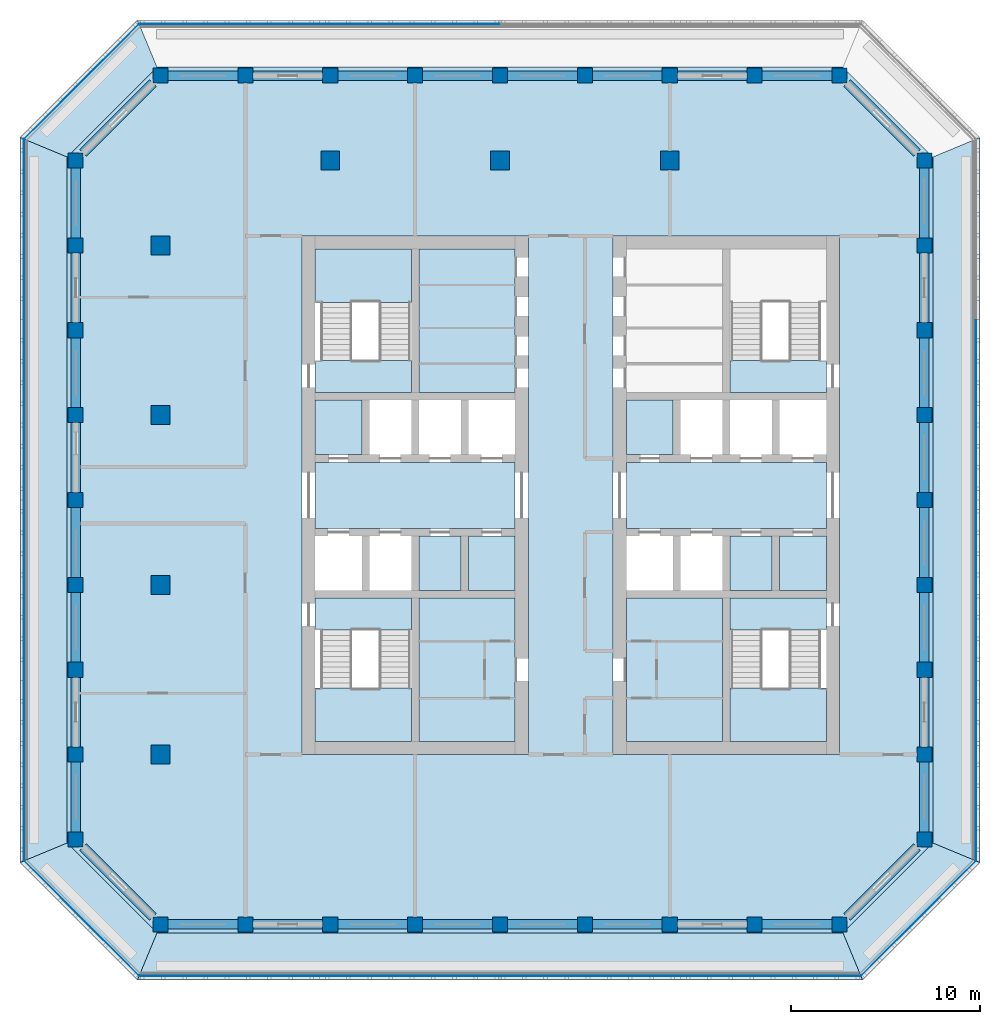
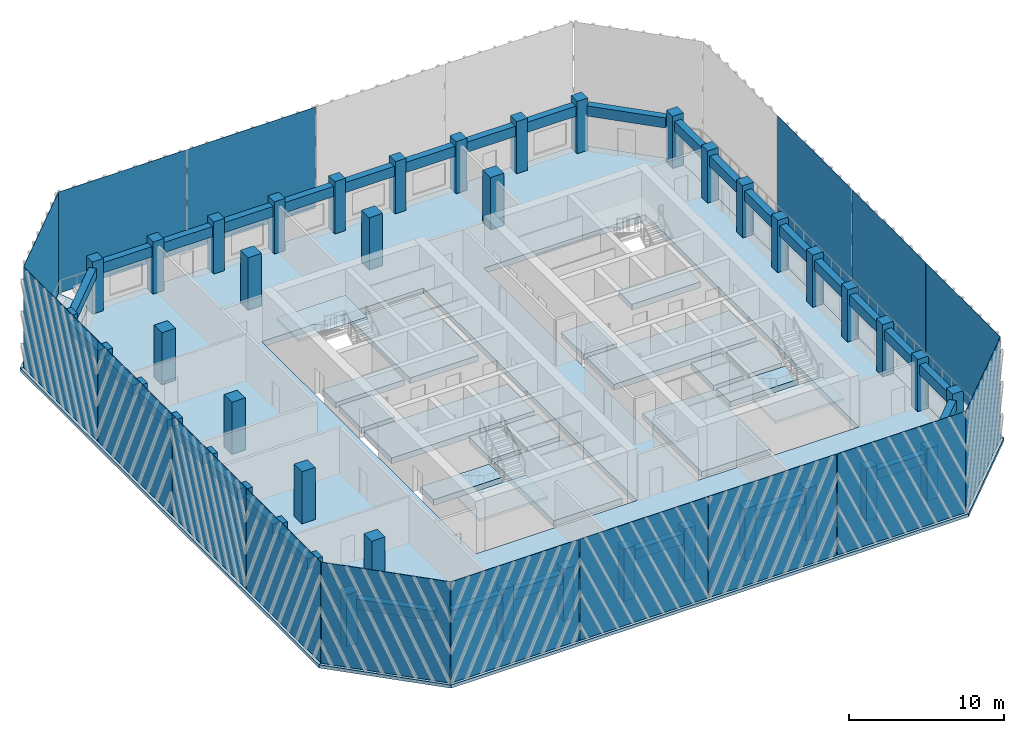
# One storey, part 1 of 15: 43 columns, 36 beams, 25 slabs, 16 plates, 3 elements without a shape of their own.
"""IFC4 building model written with IfcOpenShell, lengths in metres."""

from ifc_helpers import new_model, si_unit, direction, frame, origin, origin_2d, place, context, subcontext, project, spatial, polyline, rectangle, outline, extrude, material, layer, layer_set, material_profile, profile_set, type_object, element, aggregate, save


model = new_model("IFC4")

# Units and contexts
model_context = context("Model", 3, precision=1e-05, world=origin(), true_north=direction((0.0, 1.0)))
body_context = subcontext(model_context, "Body", "Model", "MODEL_VIEW")
ifc_project = project(units=[si_unit("LENGTHUNIT", "METRE"), si_unit("AREAUNIT", "SQUARE_METRE"), si_unit("VOLUMEUNIT", "CUBIC_METRE"), si_unit("PLANEANGLEUNIT", "RADIAN"), si_unit("MASSUNIT", "GRAM", prefix="KILO")], contexts=[model_context])

# Site, building, storey
site_placement = place(None, origin())
site = spatial("IfcSite", under=ifc_project, at=site_placement, CompositionType="ELEMENT")
building_placement = place(site_placement, origin())
building = spatial("IfcBuilding", under=site, at=building_placement, Name="Corbel Stack Research Tower", CompositionType="ELEMENT")
storey_placement = place(building_placement, frame((0.0, 0.0, 274.5)))
storey = spatial("IfcBuildingStorey", under=building, at=storey_placement, Name="L62", CompositionType="ELEMENT", Elevation=274.5)

# Columns
ifc_material_1 = material(Name="Concrete C60/75", Category="concrete")
ifc_material_profile_1 = material_profile(ifc_material_1, rectangle(XDim=1.0, YDim=1.0, at=origin_2d()), Name="RC 1000 x 1000")
ifc_profile_set_1 = profile_set([ifc_material_profile_1], Name="Concrete C60/75")
column_type_1 = type_object("IfcColumnType", Name="C-1000-60", PredefinedType="COLUMN", material=ifc_profile_set_1)
for number, where, z_axis, x_axis, name in (
    (1, (-18.0, -9.0, 0.0), (0.0, 0.0, 1.0), (1.0, 0.0, 0.0), "Column 4/F L62"),
    (2, (-18.0, 0.0, 0.0), (0.0, 0.0, 1.0), (1.0, 0.0, 0.0), "Column 4/H L62"),
    (3, (-18.0, 9.0, 0.0), (0.0, 0.0, 1.0), (1.0, 0.0, 0.0), "Column 4/K L62"),
    (4, (-18.0, 18.0, 0.0), (0.0, 0.0, 1.0), (1.0, 0.0, 0.0), "Column 4/M L62"),
    (5, (-9.0, 22.5, 0.0), (0.0, 0.0, 1.0), (1.0, 0.0, 0.0), "Column 6/N L62"),
    (6, (0.0, 22.5, 0.0), (0.0, 0.0, 1.0), (1.0, 0.0, 0.0), "Column 8/N L62"),
    (7, (9.0, 22.5, 0.0), (0.0, 0.0, 1.0), (1.0, 0.0, 0.0), "Column 10/N L62"),
):
    element("IfcColumn", number, at=place(storey_placement, frame(where, z_axis=z_axis, x_axis=x_axis)), inside=storey, type_object=column_type_1, Name=name, PredefinedType="COLUMN", context=body_context, shape_type="SweptSolid", body=[
        extrude(rectangle(XDim=1.0, YDim=1.0, at=origin_2d()), origin(), (0.0, 0.0, 1.0), 4.10009765625),
    ])
ifc_material_2 = material(Name="Concrete C60/75", Category="concrete")
ifc_material_profile_2 = material_profile(ifc_material_2, rectangle(XDim=0.800048828125, YDim=0.800048828125, at=origin_2d()), Name="RC 800 x 800")
ifc_profile_set_2 = profile_set([ifc_material_profile_2], Name="Concrete C60/75")
column_type_2 = type_object("IfcColumnType", Name="C-800-60", PredefinedType="COLUMN", material=ifc_profile_set_2)
for number, where, z_axis, x_axis, name in (
    (8, (-22.5, -13.5, 0.0), (0.0, 0.0, 1.0), (1.0, 0.0, 0.0), "Column 3/E L62"),
    (9, (-22.5, -9.0, 0.0), (0.0, 0.0, 1.0), (1.0, 0.0, 0.0), "Column 3/F L62"),
    (10, (-22.5, -4.5, 0.0), (0.0, 0.0, 1.0), (1.0, 0.0, 0.0), "Column 3/G L62"),
    (11, (-22.5, 0.0, 0.0), (0.0, 0.0, 1.0), (1.0, 0.0, 0.0), "Column 3/H L62"),
    (12, (-22.5, 4.5, 0.0), (0.0, 0.0, 1.0), (1.0, 0.0, 0.0), "Column 3/J L62"),
    (13, (-22.5, 9.0, 0.0), (0.0, 0.0, 1.0), (1.0, 0.0, 0.0), "Column 3/K L62"),
    (14, (-22.5, 13.5, 0.0), (0.0, 0.0, 1.0), (1.0, 0.0, 0.0), "Column 3/L L62"),
    (15, (-22.5, 18.0, 0.0), (0.0, 0.0, 1.0), (1.0, 0.0, 0.0), "Column 3/M L62"),
    (16, (-22.5, 22.5, 0.0), (0.0, 0.0, 1.0), (1.0, 0.0, 0.0), "Column 3/N L62"),
    (17, (-18.0, -18.0, 0.0), (0.0, 0.0, 1.0), (1.0, 0.0, 0.0), "Column 4/D L62"),
    (18, (-18.0, 27.0, 0.0), (0.0, 0.0, 1.0), (1.0, 0.0, 0.0), "Column 4/P L62"),
    (19, (-13.5, -18.0, 0.0), (0.0, 0.0, 1.0), (1.0, 0.0, 0.0), "Column 5/D L62"),
    (20, (-13.5, 27.0, 0.0), (0.0, 0.0, 1.0), (1.0, 0.0, 0.0), "Column 5/P L62"),
    (21, (-9.0, -18.0, 0.0), (0.0, 0.0, 1.0), (1.0, 0.0, 0.0), "Column 6/D L62"),
    (22, (-9.0, 27.0, 0.0), (0.0, 0.0, 1.0), (1.0, 0.0, 0.0), "Column 6/P L62"),
    (23, (-4.5, -18.0, 0.0), (0.0, 0.0, 1.0), (1.0, 0.0, 0.0), "Column 7/D L62"),
    (24, (-4.5, 27.0, 0.0), (0.0, 0.0, 1.0), (1.0, 0.0, 0.0), "Column 7/P L62"),
    (25, (0.0, -18.0, 0.0), (0.0, 0.0, 1.0), (1.0, 0.0, 0.0), "Column 8/D L62"),
    (26, (0.0, 27.0, 0.0), (0.0, 0.0, 1.0), (1.0, 0.0, 0.0), "Column 8/P L62"),
    (27, (4.5, -18.0, 0.0), (0.0, 0.0, 1.0), (1.0, 0.0, 0.0), "Column 9/D L62"),
    (28, (4.5, 27.0, 0.0), (0.0, 0.0, 1.0), (1.0, 0.0, 0.0), "Column 9/P L62"),
    (29, (9.0, -18.0, 0.0), (0.0, 0.0, 1.0), (1.0, 0.0, 0.0), "Column 10/D L62"),
    (30, (9.0, 27.0, 0.0), (0.0, 0.0, 1.0), (1.0, 0.0, 0.0), "Column 10/P L62"),
    (31, (13.5, -18.0, 0.0), (0.0, 0.0, 1.0), (1.0, 0.0, 0.0), "Column 11/D L62"),
    (32, (13.5, 27.0, 0.0), (0.0, 0.0, 1.0), (1.0, 0.0, 0.0), "Column 11/P L62"),
    (33, (18.0, -18.0, 0.0), (0.0, 0.0, 1.0), (1.0, 0.0, 0.0), "Column 12/D L62"),
    (34, (18.0, 27.0, 0.0), (0.0, 0.0, 1.0), (1.0, 0.0, 0.0), "Column 12/P L62"),
    (35, (22.5, -13.5, 0.0), (0.0, 0.0, 1.0), (1.0, 0.0, 0.0), "Column 13/E L62"),
    (36, (22.5, -9.0, 0.0), (0.0, 0.0, 1.0), (1.0, 0.0, 0.0), "Column 13/F L62"),
    (37, (22.5, -4.5, 0.0), (0.0, 0.0, 1.0), (1.0, 0.0, 0.0), "Column 13/G L62"),
    (38, (22.5, 0.0, 0.0), (0.0, 0.0, 1.0), (1.0, 0.0, 0.0), "Column 13/H L62"),
    (39, (22.5, 4.5, 0.0), (0.0, 0.0, 1.0), (1.0, 0.0, 0.0), "Column 13/J L62"),
    (40, (22.5, 9.0, 0.0), (0.0, 0.0, 1.0), (1.0, 0.0, 0.0), "Column 13/K L62"),
    (41, (22.5, 13.5, 0.0), (0.0, 0.0, 1.0), (1.0, 0.0, 0.0), "Column 13/L L62"),
    (42, (22.5, 18.0, 0.0), (0.0, 0.0, 1.0), (1.0, 0.0, 0.0), "Column 13/M L62"),
    (43, (22.5, 22.5, 0.0), (0.0, 0.0, 1.0), (1.0, 0.0, 0.0), "Column 13/N L62"),
):
    element("IfcColumn", number, at=place(storey_placement, frame(where, z_axis=z_axis, x_axis=x_axis)), inside=storey, type_object=column_type_2, Name=name, PredefinedType="COLUMN", context=body_context, shape_type="SweptSolid", body=[
        extrude(rectangle(XDim=0.800048828125, YDim=0.800048828125, at=origin_2d()), origin(), (0.0, 0.0, 1.0), 4.10009765625),
    ])

# Beams
ifc_material_3 = material(Name="Concrete C60/75", Category="concrete")
ifc_material_profile_3 = material_profile(ifc_material_3, rectangle(XDim=0.5, YDim=0.800048828125, at=origin_2d()), Name="RC 500 x 800")
ifc_profile_set_3 = profile_set([ifc_material_profile_3], Name="Concrete C60/75")
beam_type = type_object("IfcBeamType", Name="SB-500-800-450", PredefinedType="SPANDREL", material=ifc_profile_set_3)
for number, where, z_axis, x_axis, name in (
    (44, (-17.60009765625, -18.0, 3.25), (1.0, 0.0, 0.0), (0.0, 1.0, 0.0), "Spandrel beam L62-01"),
    (45, (-13.10009765625, -18.0, 3.25), (1.0, 0.0, 0.0), (0.0, 1.0, 0.0), "Spandrel beam L62-02"),
    (46, (-8.60009765625, -18.0, 3.25), (1.0, 0.0, 0.0), (0.0, 1.0, 0.0), "Spandrel beam L62-03"),
    (47, (-4.10009765625, -18.0, 3.25), (1.0, 0.0, 0.0), (0.0, 1.0, 0.0), "Spandrel beam L62-04"),
    (48, (0.39990234375, -18.0, 3.25), (1.0, 0.0, 0.0), (0.0, 1.0, 0.0), "Spandrel beam L62-05"),
    (49, (4.89990234375, -18.0, 3.25), (1.0, 0.0, 0.0), (0.0, 1.0, 0.0), "Spandrel beam L62-06"),
    (50, (9.39990234375, -18.0, 3.25), (1.0, 0.0, 0.0), (0.0, 1.0, 0.0), "Spandrel beam L62-07"),
    (51, (13.89990234375, -18.0, 3.25), (1.0, 0.0, 0.0), (0.0, 1.0, 0.0), "Spandrel beam L62-08"),
):
    element("IfcBeam", number, at=place(storey_placement, frame(where, z_axis=z_axis, x_axis=x_axis)), inside=storey, type_object=beam_type, Name=name, PredefinedType="SPANDREL", context=body_context, shape_type="SweptSolid", body=[
        extrude(rectangle(XDim=0.5, YDim=0.800048828125, at=origin_2d()), origin(), (0.0, 0.0, 1.0), 3.7001953125),
    ])
beam_1_placement = place(storey_placement, frame((18.39990234375, -17.60009765625, 3.25), z_axis=(0.707106781187, 0.707106781187, 0.0), x_axis=(-0.707106781187, 0.707106781187, 0.0)))
element("IfcBeam", 52, at=beam_1_placement, inside=storey, type_object=beam_type, Name="Spandrel beam L62-09", PredefinedType="SPANDREL", context=body_context, shape_type="SweptSolid", body=[
    extrude(rectangle(XDim=0.5, YDim=0.800048828125, at=origin_2d()), origin(), (0.0, 0.0, 1.0), 5.23291015625),
])
for number, where, z_axis, x_axis, name in (
    (53, (22.5, -13.10009765625, 3.25), (0.0, 1.0, 0.0), (-1.0, 0.0, 0.0), "Spandrel beam L62-10"),
    (54, (22.5, -8.60009765625, 3.25), (0.0, 1.0, 0.0), (-1.0, 0.0, 0.0), "Spandrel beam L62-11"),
    (55, (22.5, -4.10009765625, 3.25), (0.0, 1.0, 0.0), (-1.0, 0.0, 0.0), "Spandrel beam L62-12"),
    (56, (22.5, 0.39990234375, 3.25), (0.0, 1.0, 0.0), (-1.0, 0.0, 0.0), "Spandrel beam L62-13"),
    (57, (22.5, 4.89990234375, 3.25), (0.0, 1.0, 0.0), (-1.0, 0.0, 0.0), "Spandrel beam L62-14"),
    (58, (22.5, 9.39990234375, 3.25), (0.0, 1.0, 0.0), (-1.0, 0.0, 0.0), "Spandrel beam L62-15"),
    (59, (22.5, 13.89990234375, 3.25), (0.0, 1.0, 0.0), (-1.0, 0.0, 0.0), "Spandrel beam L62-16"),
    (60, (22.5, 18.39990234375, 3.25), (0.0, 1.0, 0.0), (-1.0, 0.0, 0.0), "Spandrel beam L62-17"),
):
    element("IfcBeam", number, at=place(storey_placement, frame(where, z_axis=z_axis, x_axis=x_axis)), inside=storey, type_object=beam_type, Name=name, PredefinedType="SPANDREL", context=body_context, shape_type="SweptSolid", body=[
        extrude(rectangle(XDim=0.5, YDim=0.800048828125, at=origin_2d()), origin(), (0.0, 0.0, 1.0), 3.7001953125),
    ])
beam_2_placement = place(storey_placement, frame((22.10009765625, 22.89990234375, 3.25), z_axis=(-0.707106781187, 0.707106781187, 0.0), x_axis=(-0.707106781187, -0.707106781187, 0.0)))
element("IfcBeam", 61, at=beam_2_placement, inside=storey, type_object=beam_type, Name="Spandrel beam L62-18", PredefinedType="SPANDREL", context=body_context, shape_type="SweptSolid", body=[
    extrude(rectangle(XDim=0.5, YDim=0.800048828125, at=origin_2d()), origin(), (0.0, 0.0, 1.0), 5.23291015625),
])
for number, where, z_axis, x_axis, name in (
    (62, (17.60009765625, 27.0, 3.25), (-1.0, 0.0, 0.0), (0.0, -1.0, 0.0), "Spandrel beam L62-19"),
    (63, (13.10009765625, 27.0, 3.25), (-1.0, 0.0, 0.0), (0.0, -1.0, 0.0), "Spandrel beam L62-20"),
    (64, (8.60009765625, 27.0, 3.25), (-1.0, 0.0, 0.0), (0.0, -1.0, 0.0), "Spandrel beam L62-21"),
    (65, (4.10009765625, 27.0, 3.25), (-1.0, 0.0, 0.0), (0.0, -1.0, 0.0), "Spandrel beam L62-22"),
    (66, (-0.39990234375, 27.0, 3.25), (-1.0, 0.0, 0.0), (0.0, -1.0, 0.0), "Spandrel beam L62-23"),
    (67, (-4.89990234375, 27.0, 3.25), (-1.0, 0.0, 0.0), (0.0, -1.0, 0.0), "Spandrel beam L62-24"),
    (68, (-9.39990234375, 27.0, 3.25), (-1.0, 0.0, 0.0), (0.0, -1.0, 0.0), "Spandrel beam L62-25"),
    (69, (-13.89990234375, 27.0, 3.25), (-1.0, 0.0, 0.0), (0.0, -1.0, 0.0), "Spandrel beam L62-26"),
):
    element("IfcBeam", number, at=place(storey_placement, frame(where, z_axis=z_axis, x_axis=x_axis)), inside=storey, type_object=beam_type, Name=name, PredefinedType="SPANDREL", context=body_context, shape_type="SweptSolid", body=[
        extrude(rectangle(XDim=0.5, YDim=0.800048828125, at=origin_2d()), origin(), (0.0, 0.0, 1.0), 3.7001953125),
    ])
beam_3_placement = place(storey_placement, frame((-18.39990234375, 26.60009765625, 3.25), z_axis=(-0.707106781187, -0.707106781187, 0.0), x_axis=(0.707106781187, -0.707106781187, 0.0)))
element("IfcBeam", 70, at=beam_3_placement, inside=storey, type_object=beam_type, Name="Spandrel beam L62-27", PredefinedType="SPANDREL", context=body_context, shape_type="SweptSolid", body=[
    extrude(rectangle(XDim=0.5, YDim=0.800048828125, at=origin_2d()), origin(), (0.0, 0.0, 1.0), 5.23291015625),
])
for number, where, z_axis, x_axis, name in (
    (71, (-22.5, 22.10009765625, 3.25), (0.0, -1.0, 0.0), (1.0, 0.0, 0.0), "Spandrel beam L62-28"),
    (72, (-22.5, 17.60009765625, 3.25), (0.0, -1.0, 0.0), (1.0, 0.0, 0.0), "Spandrel beam L62-29"),
    (73, (-22.5, 13.10009765625, 3.25), (0.0, -1.0, 0.0), (1.0, 0.0, 0.0), "Spandrel beam L62-30"),
    (74, (-22.5, 8.60009765625, 3.25), (0.0, -1.0, 0.0), (1.0, 0.0, 0.0), "Spandrel beam L62-31"),
    (75, (-22.5, 4.10009765625, 3.25), (0.0, -1.0, 0.0), (1.0, 0.0, 0.0), "Spandrel beam L62-32"),
    (76, (-22.5, -0.39990234375, 3.25), (0.0, -1.0, 0.0), (1.0, 0.0, 0.0), "Spandrel beam L62-33"),
    (77, (-22.5, -4.89990234375, 3.25), (0.0, -1.0, 0.0), (1.0, 0.0, 0.0), "Spandrel beam L62-34"),
    (78, (-22.5, -9.39990234375, 3.25), (0.0, -1.0, 0.0), (1.0, 0.0, 0.0), "Spandrel beam L62-35"),
):
    element("IfcBeam", number, at=place(storey_placement, frame(where, z_axis=z_axis, x_axis=x_axis)), inside=storey, type_object=beam_type, Name=name, PredefinedType="SPANDREL", context=body_context, shape_type="SweptSolid", body=[
        extrude(rectangle(XDim=0.5, YDim=0.800048828125, at=origin_2d()), origin(), (0.0, 0.0, 1.0), 3.7001953125),
    ])
beam_4_placement = place(storey_placement, frame((-22.10009765625, -13.89990234375, 3.25), z_axis=(0.707106781187, -0.707106781187, 0.0), x_axis=(0.707106781187, 0.707106781187, 0.0)))
element("IfcBeam", 79, at=beam_4_placement, inside=storey, type_object=beam_type, Name="Spandrel beam L62-36", PredefinedType="SPANDREL", context=body_context, shape_type="SweptSolid", body=[
    extrude(rectangle(XDim=0.5, YDim=0.800048828125, at=origin_2d()), origin(), (0.0, 0.0, 1.0), 5.23291015625),
])

# Plates
ifc_material_4 = material(Name="Fritted glass", Category="glass")
ifc_layer_1 = layer(ifc_material_4, 0.02490234375)
ifc_layer_set_1 = layer_set([ifc_layer_1], Name="Fritted glass")
plate_type = type_object("IfcPlateType", Name="Fritted glass panel 25", PredefinedType="SHEET", material=ifc_layer_set_1)
for number, where, z_axis, x_axis, name in (
    (80, (-14.354248046875, -20.737548828125, 0.0), (0.0, 0.0, 1.0), (1.0, 0.0, 0.0), "Fritted glass L62 S1"),
    (81, (-4.784912109375, -20.737548828125, 0.0), (0.0, 0.0, 1.0), (1.0, 0.0, 0.0), "Fritted glass L62 S2"),
    (82, (4.784912109375, -20.737548828125, 0.0), (0.0, 0.0, 1.0), (1.0, 0.0, 0.0), "Fritted glass L62 S3"),
    (83, (14.354248046875, -20.737548828125, 0.0), (0.0, 0.0, 1.0), (1.0, 0.0, 0.0), "Fritted glass L62 S4"),
):
    element("IfcPlate", number, at=place(storey_placement, frame(where, z_axis=z_axis, x_axis=x_axis)), inside=storey, type_object=plate_type, Name=name, PredefinedType="SHEET", context=body_context, shape_type="SweptSolid", body=[
        extrude(rectangle(XDim=9.509521484375, YDim=0.02490234375, at=origin_2d()), origin(), (0.0, 0.0, 1.0), 7.949951171875),
    ])
plate_1_placement = place(storey_placement, frame((22.185791015625, -17.685791015625, 0.0), z_axis=(0.0, 0.0, 1.0), x_axis=(0.707106781187, 0.707106781187, 0.0)))
element("IfcPlate", 84, at=plate_1_placement, inside=storey, type_object=plate_type, Name="Fritted glass L62 SE1", PredefinedType="SHEET", context=body_context, shape_type="SweptSolid", body=[
    extrude(rectangle(XDim=8.58203125, YDim=0.02490234375, at=origin_2d()), origin(), (0.0, 0.0, 1.0), 7.949951171875),
])
for number, where, z_axis, x_axis, name in (
    (85, (25.237548828125, -9.854248046875, 0.0), (0.0, 0.0, 1.0), (0.0, 1.0, 0.0), "Fritted glass L62 E1"),
    (86, (25.237548828125, -0.284912109375, 0.0), (0.0, 0.0, 1.0), (0.0, 1.0, 0.0), "Fritted glass L62 E2"),
    (87, (25.237548828125, 9.284912109375, 0.0), (0.0, 0.0, 1.0), (0.0, 1.0, 0.0), "Fritted glass L62 E3"),
    (88, (-4.784912109375, 29.737548828125, 0.0), (0.0, 0.0, 1.0), (-1.0, 0.0, 0.0), "Fritted glass L62 N3"),
    (89, (-14.354248046875, 29.737548828125, 0.0), (0.0, 0.0, 1.0), (-1.0, 0.0, 0.0), "Fritted glass L62 N4"),
):
    element("IfcPlate", number, at=place(storey_placement, frame(where, z_axis=z_axis, x_axis=x_axis)), inside=storey, type_object=plate_type, Name=name, PredefinedType="SHEET", context=body_context, shape_type="SweptSolid", body=[
        extrude(rectangle(XDim=9.509521484375, YDim=0.02490234375, at=origin_2d()), origin(), (0.0, 0.0, 1.0), 7.949951171875),
    ])
plate_2_placement = place(storey_placement, frame((-22.185791015625, 26.685791015625, 0.0), z_axis=(0.0, 0.0, 1.0), x_axis=(-0.707106781187, -0.707106781187, 0.0)))
element("IfcPlate", 90, at=plate_2_placement, inside=storey, type_object=plate_type, Name="Fritted glass L62 NW1", PredefinedType="SHEET", context=body_context, shape_type="SweptSolid", body=[
    extrude(rectangle(XDim=8.58203125, YDim=0.02490234375, at=origin_2d()), origin(), (0.0, 0.0, 1.0), 7.949951171875),
])
for number, where, z_axis, x_axis, name in (
    (91, (-25.237548828125, 18.854248046875, 0.0), (0.0, 0.0, 1.0), (0.0, -1.0, 0.0), "Fritted glass L62 W1"),
    (92, (-25.237548828125, 9.284912109375, 0.0), (0.0, 0.0, 1.0), (0.0, -1.0, 0.0), "Fritted glass L62 W2"),
    (93, (-25.237548828125, -0.284912109375, 0.0), (0.0, 0.0, 1.0), (0.0, -1.0, 0.0), "Fritted glass L62 W3"),
    (94, (-25.237548828125, -9.854248046875, 0.0), (0.0, 0.0, 1.0), (0.0, -1.0, 0.0), "Fritted glass L62 W4"),
):
    element("IfcPlate", number, at=place(storey_placement, frame(where, z_axis=z_axis, x_axis=x_axis)), inside=storey, type_object=plate_type, Name=name, PredefinedType="SHEET", context=body_context, shape_type="SweptSolid", body=[
        extrude(rectangle(XDim=9.509521484375, YDim=0.02490234375, at=origin_2d()), origin(), (0.0, 0.0, 1.0), 7.949951171875),
    ])
plate_3_placement = place(storey_placement, frame((-22.185791015625, -17.685791015625, 0.0), z_axis=(0.0, 0.0, 1.0), x_axis=(0.707106781187, -0.707106781187, 0.0)))
element("IfcPlate", 95, at=plate_3_placement, inside=storey, type_object=plate_type, Name="Fritted glass L62 SW1", PredefinedType="SHEET", context=body_context, shape_type="SweptSolid", body=[
    extrude(rectangle(XDim=8.58203125, YDim=0.02490234375, at=origin_2d()), origin(), (0.0, 0.0, 1.0), 7.949951171875),
])

# Slabs
ifc_material_5 = material(Name="Concrete C45/55", Category="concrete")
ifc_layer_2 = layer(ifc_material_5, 0.25)
ifc_layer_set_2 = layer_set([ifc_layer_2], Name="Concrete C45/55")
slab_type_1 = type_object("IfcSlabType", Name="PT balcony slab 250 C45/55", PredefinedType="FLOOR", material=ifc_layer_set_2)
slab_1_placement = place(storey_placement, frame((0.0, 0.0, -0.25)))
element("IfcSlab", 96, at=slab_1_placement, inside=storey, type_object=slab_type_1, Name="Loggia slab L62 S", PredefinedType="FLOOR", context=body_context, shape_type="SweptSolid", body=[
    extrude(outline(polyline([(18.186279296875, -18.449951171875), (-18.186279296875, -18.449951171875), (-19.221923828125, -20.949951171875), (19.221923828125, -20.949951171875), (18.186279296875, -18.449951171875)])), origin(), (0.0, 0.0, 1.0), 0.25),
])
slab_2_placement = place(storey_placement, frame((0.0, 0.0, -0.25)))
element("IfcSlab", 97, at=slab_2_placement, inside=storey, type_object=slab_type_1, Name="Loggia slab L62 SE", PredefinedType="FLOOR", context=body_context, shape_type="SweptSolid", body=[
    extrude(outline(polyline([(22.949951171875, -13.686279296875), (22.89990234375, -13.736328125), (22.89990234375, -13.89990234375), (22.736328125, -13.89990234375), (18.39990234375, -18.236328125), (18.39990234375, -18.39990234375), (18.236328125, -18.39990234375), (18.186279296875, -18.449951171875), (19.221923828125, -20.949951171875), (25.449951171875, -14.721923828125), (22.949951171875, -13.686279296875)])), origin(), (0.0, 0.0, 1.0), 0.25),
])
slab_3_placement = place(storey_placement, frame((0.0, 0.0, -0.25)))
element("IfcSlab", 98, at=slab_3_placement, inside=storey, type_object=slab_type_1, Name="Loggia slab L62 E", PredefinedType="FLOOR", context=body_context, shape_type="SweptSolid", body=[
    extrude(outline(polyline([(22.949951171875, 22.686279296875), (22.949951171875, -13.686279296875), (25.449951171875, -14.721923828125), (25.449951171875, 23.721923828125), (22.949951171875, 22.686279296875)])), origin(), (0.0, 0.0, 1.0), 0.25),
])
slab_4_placement = place(storey_placement, frame((0.0, 0.0, -0.25)))
element("IfcSlab", 99, at=slab_4_placement, inside=storey, type_object=slab_type_1, Name="Loggia slab L62 NW", PredefinedType="FLOOR", context=body_context, shape_type="SweptSolid", body=[
    extrude(outline(polyline([(-22.949951171875, 22.686279296875), (-22.89990234375, 22.736328125), (-22.89990234375, 22.89990234375), (-22.736328125, 22.89990234375), (-18.39990234375, 27.236328125), (-18.39990234375, 27.39990234375), (-18.236328125, 27.39990234375), (-18.186279296875, 27.449951171875), (-19.221923828125, 29.949951171875), (-25.449951171875, 23.721923828125), (-22.949951171875, 22.686279296875)])), origin(), (0.0, 0.0, 1.0), 0.25),
])
slab_5_placement = place(storey_placement, frame((0.0, 0.0, -0.25)))
element("IfcSlab", 100, at=slab_5_placement, inside=storey, type_object=slab_type_1, Name="Loggia slab L62 W", PredefinedType="FLOOR", context=body_context, shape_type="SweptSolid", body=[
    extrude(outline(polyline([(-22.949951171875, -13.686279296875), (-22.949951171875, 22.686279296875), (-25.449951171875, 23.721923828125), (-25.449951171875, -14.721923828125), (-22.949951171875, -13.686279296875)])), origin(), (0.0, 0.0, 1.0), 0.25),
])
slab_6_placement = place(storey_placement, frame((0.0, 0.0, -0.25)))
element("IfcSlab", 101, at=slab_6_placement, inside=storey, type_object=slab_type_1, Name="Loggia slab L62 SW", PredefinedType="FLOOR", context=body_context, shape_type="SweptSolid", body=[
    extrude(outline(polyline([(-18.186279296875, -18.449951171875), (-18.236328125, -18.39990234375), (-18.39990234375, -18.39990234375), (-18.39990234375, -18.236328125), (-22.736328125, -13.89990234375), (-22.89990234375, -13.89990234375), (-22.89990234375, -13.736328125), (-22.949951171875, -13.686279296875), (-25.449951171875, -14.721923828125), (-19.221923828125, -20.949951171875), (-18.186279296875, -18.449951171875)])), origin(), (0.0, 0.0, 1.0), 0.25),
])
ifc_material_6 = material(Name="Concrete C45/55", Category="concrete")
ifc_layer_3 = layer(ifc_material_6, 0.449951171875)
ifc_layer_set_3 = layer_set([ifc_layer_3], Name="Concrete C45/55")
slab_type_2 = type_object("IfcSlabType", Name="PT-450", PredefinedType="FLOOR", material=ifc_layer_set_3)
slab_7_placement = place(storey_placement, frame((0.0, 0.0, -0.449951171875)))
element("IfcSlab", 102, at=slab_7_placement, inside=storey, type_object=slab_type_2, Name="Floor slab L62", PredefinedType="FLOOR", context=body_context, shape_type="SweptSolid", body=[
    extrude(outline(polyline([(-18.186279296875, -18.449951171875), (18.186279296875, -18.449951171875), (22.949951171875, -13.686279296875), (22.949951171875, 22.686279296875), (18.186279296875, 27.449951171875), (-18.186279296875, 27.449951171875), (-22.949951171875, 22.686279296875), (-22.949951171875, -13.686279296875), (-18.186279296875, -18.449951171875)]), holes=[polyline([(18.0, 18.5), (18.0, -9.0), (6.0, -9.0), (6.0, 18.5), (18.0, 18.5)]), polyline([(9.5, 22.0), (8.5, 22.0), (8.5, 23.0), (9.5, 23.0), (9.5, 22.0)]), polyline([(1.5, 18.5), (1.5, -9.0), (-10.5, -9.0), (-10.5, 18.5), (1.5, 18.5)]), polyline([(0.5, 22.0), (-0.5, 22.0), (-0.5, 23.0), (0.5, 23.0), (0.5, 22.0)]), polyline([(-8.5, 23.0), (-8.5, 22.0), (-9.5, 22.0), (-9.5, 23.0), (-8.5, 23.0)]), polyline([(-17.5, -8.5), (-17.5, -9.5), (-18.5, -9.5), (-18.5, -8.5), (-17.5, -8.5)]), polyline([(-17.5, 0.5), (-17.5, -0.5), (-18.5, -0.5), (-18.5, 0.5), (-17.5, 0.5)]), polyline([(-17.5, 9.5), (-17.5, 8.5), (-18.5, 8.5), (-18.5, 9.5), (-17.5, 9.5)]), polyline([(-17.5, 18.5), (-17.5, 17.5), (-18.5, 17.5), (-18.5, 18.5), (-17.5, 18.5)])]), origin(), (0.0, 0.0, 1.0), 0.449951171875),
])
slab_8_placement = place(storey_placement, frame((0.0, 0.0, -0.449951171875)))
element("IfcSlab", 103, at=slab_8_placement, inside=storey, type_object=slab_type_2, Name="West core floor L62", PredefinedType="FLOOR", context=body_context, shape_type="SweptSolid", body=[
    extrude(outline(polyline([(-9.800048828125, 6.5), (-9.800048828125, 3.0), (0.800048828125, 3.0), (0.800048828125, 6.5), (-9.800048828125, 6.5)])), origin(), (0.0, 0.0, 1.0), 0.449951171875),
])
slab_9_placement = place(storey_placement, frame((0.0, 0.0, -0.449951171875)))
element("IfcSlab", 104, at=slab_9_placement, inside=storey, type_object=slab_type_2, Name="West core floor L62", PredefinedType="FLOOR", context=body_context, shape_type="SweptSolid", body=[
    extrude(outline(polyline([(-9.800048828125, 6.89990234375), (-7.324951171875, 6.89990234375), (-7.324951171875, 9.800048828125), (-9.800048828125, 9.800048828125), (-9.800048828125, 6.89990234375)])), origin(), (0.0, 0.0, 1.0), 0.449951171875),
])
slab_10_placement = place(storey_placement, frame((0.0, 0.0, -0.449951171875)))
element("IfcSlab", 105, at=slab_10_placement, inside=storey, type_object=slab_type_2, Name="West core floor L62", PredefinedType="FLOOR", context=body_context, shape_type="SweptSolid", body=[
    extrude(outline(polyline([(-4.300048828125, -0.699951171875), (-4.300048828125, -8.300048828125), (0.800048828125, -8.300048828125), (0.800048828125, -0.699951171875), (-4.300048828125, -0.699951171875)])), origin(), (0.0, 0.0, 1.0), 0.449951171875),
])
slab_11_placement = place(storey_placement, frame((0.0, 0.0, -0.449951171875)))
element("IfcSlab", 106, at=slab_11_placement, inside=storey, type_object=slab_type_2, Name="West core floor L62", PredefinedType="FLOOR", context=body_context, shape_type="SweptSolid", body=[
    extrude(outline(polyline([(-4.300048828125, 2.60009765625), (-4.300048828125, -0.300048828125), (-2.074951171875, -0.300048828125), (-2.074951171875, 2.60009765625), (-4.300048828125, 2.60009765625)])), origin(), (0.0, 0.0, 1.0), 0.449951171875),
])
slab_12_placement = place(storey_placement, frame((0.0, 0.0, -0.449951171875)))
element("IfcSlab", 107, at=slab_12_placement, inside=storey, type_object=slab_type_2, Name="West core floor L62", PredefinedType="FLOOR", context=body_context, shape_type="SweptSolid", body=[
    extrude(outline(polyline([(-4.300048828125, 17.800048828125), (-4.300048828125, 10.199951171875), (0.800048828125, 10.199951171875), (0.800048828125, 17.800048828125), (-4.300048828125, 17.800048828125)])), origin(), (0.0, 0.0, 1.0), 0.449951171875),
])
slab_13_placement = place(storey_placement, frame((0.0, 0.0, -0.449951171875)))
element("IfcSlab", 108, at=slab_13_placement, inside=storey, type_object=slab_type_2, Name="West core floor L62", PredefinedType="FLOOR", context=body_context, shape_type="SweptSolid", body=[
    extrude(outline(polyline([(-1.675048828125, 2.60009765625), (-1.675048828125, -0.300048828125), (0.800048828125, -0.300048828125), (0.800048828125, 2.60009765625), (-1.675048828125, 2.60009765625)])), origin(), (0.0, 0.0, 1.0), 0.449951171875),
])
slab_14_placement = place(storey_placement, frame((0.0, 0.0, -0.449951171875)))
element("IfcSlab", 109, at=slab_14_placement, inside=storey, type_object=slab_type_2, Name="East core floor L62", PredefinedType="FLOOR", context=body_context, shape_type="SweptSolid", body=[
    extrude(outline(polyline([(6.699951171875, -8.300048828125), (11.800048828125, -8.300048828125), (11.800048828125, -0.699951171875), (6.699951171875, -0.699951171875), (6.699951171875, -8.300048828125)])), origin(), (0.0, 0.0, 1.0), 0.449951171875),
])
slab_15_placement = place(storey_placement, frame((0.0, 0.0, -0.449951171875)))
element("IfcSlab", 110, at=slab_15_placement, inside=storey, type_object=slab_type_2, Name="East core floor L62", PredefinedType="FLOOR", context=body_context, shape_type="SweptSolid", body=[
    extrude(outline(polyline([(6.699951171875, 3.0), (17.300048828125, 3.0), (17.300048828125, 6.5), (6.699951171875, 6.5), (6.699951171875, 3.0)])), origin(), (0.0, 0.0, 1.0), 0.449951171875),
])
slab_16_placement = place(storey_placement, frame((0.0, 0.0, -0.449951171875)))
element("IfcSlab", 111, at=slab_16_placement, inside=storey, type_object=slab_type_2, Name="East core floor L62", PredefinedType="FLOOR", context=body_context, shape_type="SweptSolid", body=[
    extrude(outline(polyline([(6.699951171875, 6.89990234375), (9.175048828125, 6.89990234375), (9.175048828125, 9.800048828125), (6.699951171875, 9.800048828125), (6.699951171875, 6.89990234375)])), origin(), (0.0, 0.0, 1.0), 0.449951171875),
])
slab_17_placement = place(storey_placement, frame((0.0, 0.0, -0.449951171875)))
element("IfcSlab", 112, at=slab_17_placement, inside=storey, type_object=slab_type_2, Name="East core floor L62", PredefinedType="FLOOR", context=body_context, shape_type="SweptSolid", body=[
    extrude(outline(polyline([(12.199951171875, 2.60009765625), (12.199951171875, -0.300048828125), (14.425048828125, -0.300048828125), (14.425048828125, 2.60009765625), (12.199951171875, 2.60009765625)])), origin(), (0.0, 0.0, 1.0), 0.449951171875),
])
slab_18_placement = place(storey_placement, frame((0.0, 0.0, -0.449951171875)))
element("IfcSlab", 113, at=slab_18_placement, inside=storey, type_object=slab_type_2, Name="East core floor L62", PredefinedType="FLOOR", context=body_context, shape_type="SweptSolid", body=[
    extrude(outline(polyline([(14.824951171875, 2.60009765625), (14.824951171875, -0.300048828125), (17.300048828125, -0.300048828125), (17.300048828125, 2.60009765625), (14.824951171875, 2.60009765625)])), origin(), (0.0, 0.0, 1.0), 0.449951171875),
])
slab_19_placement = place(storey_placement, frame((0.0, 0.0, -0.449951171875)))
element("IfcSlab", 114, at=slab_19_placement, inside=storey, type_object=slab_type_2, Name="Stair floor landing ST-W1", PredefinedType="FLOOR", context=body_context, shape_type="SweptSolid", body=[
    extrude(outline(polyline([(-9.800048828125, -2.39990234375), (-4.699951171875, -2.39990234375), (-4.699951171875, -0.699951171875), (-9.800048828125, -0.699951171875), (-9.800048828125, -2.39990234375)])), origin(), (0.0, 0.0, 1.0), 0.449951171875),
])
slab_20_placement = place(storey_placement, frame((0.0, 0.0, -0.449951171875)))
element("IfcSlab", 115, at=slab_20_placement, inside=storey, type_object=slab_type_2, Name="Stair floor landing ST-W2", PredefinedType="FLOOR", context=body_context, shape_type="SweptSolid", body=[
    extrude(outline(polyline([(-9.800048828125, 10.199951171875), (-4.699951171875, 10.199951171875), (-4.699951171875, 11.89990234375), (-9.800048828125, 11.89990234375), (-9.800048828125, 10.199951171875)])), origin(), (0.0, 0.0, 1.0), 0.449951171875),
])
slab_21_placement = place(storey_placement, frame((0.0, 0.0, -0.449951171875)))
element("IfcSlab", 116, at=slab_21_placement, inside=storey, type_object=slab_type_2, Name="Stair floor landing ST-E1", PredefinedType="FLOOR", context=body_context, shape_type="SweptSolid", body=[
    extrude(outline(polyline([(12.199951171875, -2.39990234375), (17.300048828125, -2.39990234375), (17.300048828125, -0.699951171875), (12.199951171875, -0.699951171875), (12.199951171875, -2.39990234375)])), origin(), (0.0, 0.0, 1.0), 0.449951171875),
])
slab_22_placement = place(storey_placement, frame((0.0, 0.0, -0.449951171875)))
element("IfcSlab", 117, at=slab_22_placement, inside=storey, type_object=slab_type_2, Name="Stair floor landing ST-E2", PredefinedType="FLOOR", context=body_context, shape_type="SweptSolid", body=[
    extrude(outline(polyline([(12.199951171875, 10.199951171875), (17.300048828125, 10.199951171875), (17.300048828125, 11.89990234375), (12.199951171875, 11.89990234375), (12.199951171875, 10.199951171875)])), origin(), (0.0, 0.0, 1.0), 0.449951171875),
])

# Stair, slab
ifc_material_7 = material(Name="Concrete C40/50", Category="concrete")
stair_type = type_object("IfcStairType", Name="Exit stair 24 risers", PredefinedType="HALF_TURN_STAIR", material=ifc_material_7)
stair_1_placement = place(storey_placement, origin())
stair_1 = element("IfcStair", 118, at=stair_1_placement, inside=storey, type_object=stair_type, Name="L62 Exit stair ST-W1", PredefinedType="HALF_TURN_STAIR")
ifc_material_8 = material(Name="Concrete C40/50", Category="concrete")
ifc_layer_4 = layer(ifc_material_8, 0.199951171875)
ifc_layer_set_4 = layer_set([ifc_layer_4], Name="Concrete C40/50")
slab_type_3 = type_object("IfcSlabType", Name="Stair landing 200 C40/50", PredefinedType="LANDING", material=ifc_layer_set_4)
slab_23_placement = place(storey_placement, frame((0.0, 0.0, 1.85009765625)))
slab_23 = element("IfcSlab", 119, at=slab_23_placement, type_object=slab_type_3, Name="ST-W1 landing 1", PredefinedType="LANDING", context=body_context, shape_type="SweptSolid", body=[
    extrude(outline(polyline([(-9.800048828125, -8.300048828125), (-9.800048828125, -5.47998046875), (-4.699951171875, -5.47998046875), (-4.699951171875, -8.300048828125), (-9.800048828125, -8.300048828125)])), origin(), (0.0, 0.0, 1.0), 0.199951171875),
])
aggregate(stair_1, [slab_23])

stair_2_placement = place(storey_placement, origin())
stair_2 = element("IfcStair", 120, at=stair_2_placement, inside=storey, type_object=stair_type, Name="L62 Exit stair ST-W2", PredefinedType="HALF_TURN_STAIR")
slab_24_placement = place(storey_placement, frame((0.0, 0.0, 1.85009765625)))
slab_24 = element("IfcSlab", 121, at=slab_24_placement, type_object=slab_type_3, Name="ST-W2 landing 1", PredefinedType="LANDING", context=body_context, shape_type="SweptSolid", body=[
    extrude(outline(polyline([(-9.800048828125, 14.97998046875), (-9.800048828125, 17.800048828125), (-4.699951171875, 17.800048828125), (-4.699951171875, 14.97998046875), (-9.800048828125, 14.97998046875)])), origin(), (0.0, 0.0, 1.0), 0.199951171875),
])
aggregate(stair_2, [slab_24])

stair_3_placement = place(storey_placement, origin())
stair_3 = element("IfcStair", 122, at=stair_3_placement, inside=storey, type_object=stair_type, Name="L62 Exit stair ST-E1", PredefinedType="HALF_TURN_STAIR")
slab_25_placement = place(storey_placement, frame((0.0, 0.0, 1.85009765625)))
slab_25 = element("IfcSlab", 123, at=slab_25_placement, type_object=slab_type_3, Name="ST-E1 landing 1", PredefinedType="LANDING", context=body_context, shape_type="SweptSolid", body=[
    extrude(outline(polyline([(12.199951171875, -8.300048828125), (12.199951171875, -5.47998046875), (17.300048828125, -5.47998046875), (17.300048828125, -8.300048828125), (12.199951171875, -8.300048828125)])), origin(), (0.0, 0.0, 1.0), 0.199951171875),
])
aggregate(stair_3, [slab_25])

save(model, "model.ifc")
